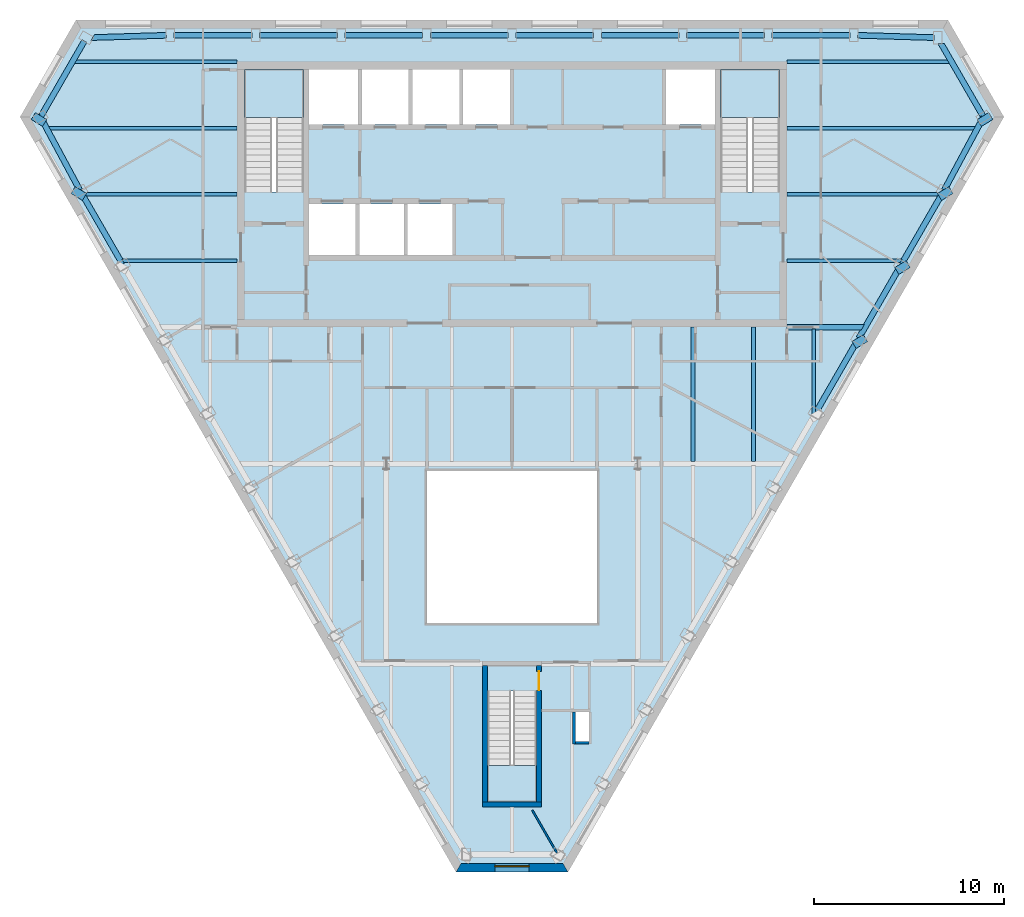
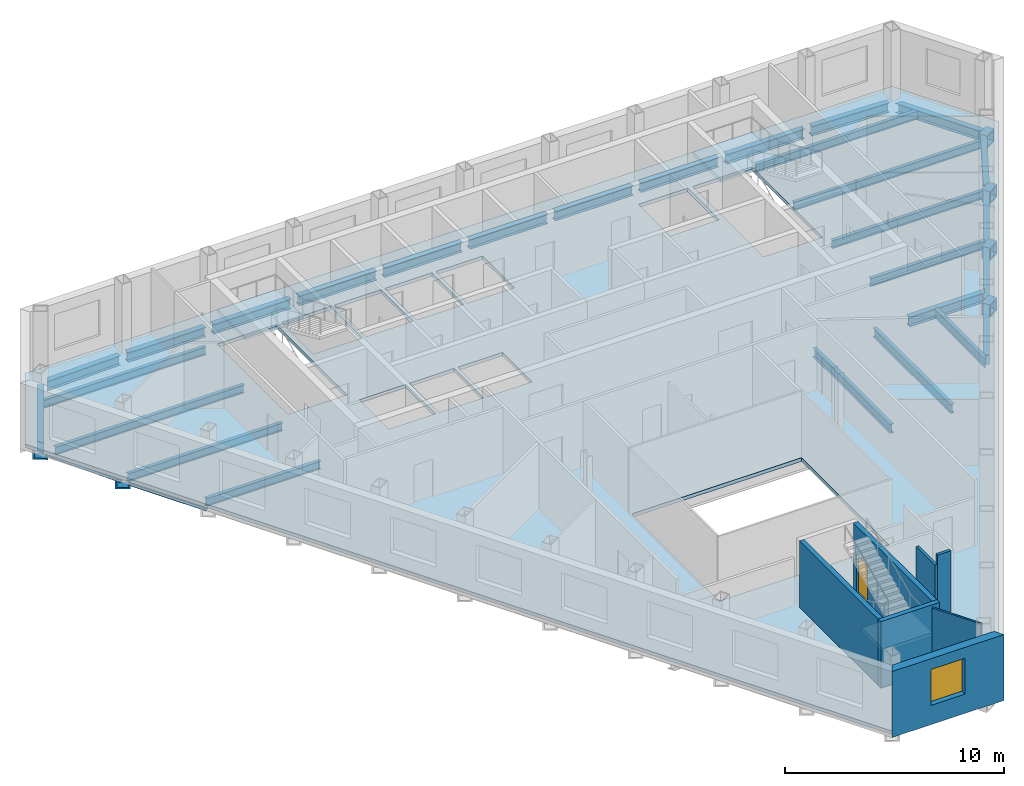
# One storey, part 3 of 10: 36 beams, 7 walls, 4 slabs, 1 door, 1 window, 2 openings, 3 elements without a shape of their own.
"""IFC4 building model written with IfcOpenShell, lengths in metres."""

from ifc_helpers import new_model, si_unit, direction, frame, frame_2d, origin, origin_2d, place, context, subcontext, project, spatial, polyline, rectangle, hollow_rectangle, i_section, outline, extrude, clip, halfspace, material, layer, layer_set, material_profile, profile_set, type_object, element, fill, aggregate, save


model = new_model("IFC4")

# Units and contexts
model_context = context("Model", 3, precision=1e-05, world=origin(), true_north=direction((0.0, 1.0)))
body_context = subcontext(model_context, "Body", "Model", "MODEL_VIEW")
ifc_project = project(units=[si_unit("LENGTHUNIT", "METRE"), si_unit("AREAUNIT", "SQUARE_METRE"), si_unit("VOLUMEUNIT", "CUBIC_METRE"), si_unit("PLANEANGLEUNIT", "RADIAN"), si_unit("MASSUNIT", "GRAM", prefix="KILO")], contexts=[model_context])

# Site, building, storey
site_placement = place(None, origin())
site = spatial("IfcSite", under=ifc_project, at=site_placement, CompositionType="ELEMENT")
building_placement = place(site_placement, origin())
building = spatial("IfcBuilding", under=site, at=building_placement, Name="Njiva Tower", CompositionType="ELEMENT")
storey_placement = place(building_placement, frame((0.0, 0.0, 257.1)))
storey = spatial("IfcBuildingStorey", under=building, at=storey_placement, Name="L58", CompositionType="ELEMENT", Elevation=257.1)

# Beams
ifc_material_1 = material(Name="Steel S355 J2", Category="steel")
ifc_material_profile_1 = material_profile(ifc_material_1, hollow_rectangle(XDim=0.7, YDim=0.7, WallThickness=0.08, at=origin_2d()), Name="BOX 700x700x80")
ifc_profile_set_1 = profile_set([ifc_material_profile_1], Name="Steel S355 J2")
beam_type_1 = type_object("IfcBeamType", Name="B19 Column jog beam BOX 700x700x80", PredefinedType="BEAM", material=ifc_profile_set_1)
beam_1_placement = place(storey_placement, frame((-25.064, 14.771, -0.55), z_axis=(0.522782921539, 0.852465845032, 0.0), x_axis=(-0.852465845032, 0.522782921539, 0.0)))
element("IfcBeam", 1, at=beam_1_placement, inside=storey, type_object=beam_type_1, Name="Column jog beam S19-B015", PredefinedType="BEAM", context=body_context, shape_type="SweptSolid", body=[
    extrude(hollow_rectangle(XDim=0.7, YDim=0.7, WallThickness=0.08, at=origin_2d()), origin(), (0.0, 0.0, 1.0), 0.4247),
])
beam_2_placement = place(storey_placement, frame((-22.963, 10.866, -0.55), z_axis=(0.518978134242, 0.854787515222, 0.0), x_axis=(-0.854787515222, 0.518978134242, 0.0)))
element("IfcBeam", 2, at=beam_2_placement, inside=storey, type_object=beam_type_1, Name="Column jog beam S19-B016", PredefinedType="BEAM", context=body_context, shape_type="SweptSolid", body=[
    extrude(hollow_rectangle(XDim=0.7, YDim=0.7, WallThickness=0.08, at=origin_2d()), origin(), (0.0, 0.0, 1.0), 0.4258),
])
beam_3_placement = place(storey_placement, frame((18.454, 3.056, -0.55), z_axis=(-0.510377209409, 0.859950640511, 0.0), x_axis=(-0.859950640511, -0.510377209409, 0.0)))
element("IfcBeam", 3, at=beam_3_placement, inside=storey, type_object=beam_type_1, Name="Column jog beam S19-B035", PredefinedType="BEAM", context=body_context, shape_type="SweptSolid", body=[
    extrude(hollow_rectangle(XDim=0.7, YDim=0.7, WallThickness=0.08, at=origin_2d()), origin(), (0.0, 0.0, 1.0), 0.4291),
])
beam_4_placement = place(storey_placement, frame((20.709, 6.962, -0.55), z_axis=(-0.516220048365, 0.856455989334, 0.0), x_axis=(-0.856455989334, -0.516220048365, 0.0)))
element("IfcBeam", 4, at=beam_4_placement, inside=storey, type_object=beam_type_1, Name="Column jog beam S19-B036", PredefinedType="BEAM", context=body_context, shape_type="SweptSolid", body=[
    extrude(hollow_rectangle(XDim=0.7, YDim=0.7, WallThickness=0.08, at=origin_2d()), origin(), (0.0, 0.0, 1.0), 0.4262),
])
beam_5_placement = place(storey_placement, frame((22.963, 10.866, -0.55), z_axis=(-0.518978134242, 0.854787515222, 0.0), x_axis=(-0.854787515222, -0.518978134242, 0.0)))
element("IfcBeam", 5, at=beam_5_placement, inside=storey, type_object=beam_type_1, Name="Column jog beam S19-B037", PredefinedType="BEAM", context=body_context, shape_type="SweptSolid", body=[
    extrude(hollow_rectangle(XDim=0.7, YDim=0.7, WallThickness=0.08, at=origin_2d()), origin(), (0.0, 0.0, 1.0), 0.4258),
])
beam_6_placement = place(storey_placement, frame((25.064, 14.771, -0.55), z_axis=(-0.522782921539, 0.852465845032, 0.0), x_axis=(-0.852465845032, -0.522782921539, 0.0)))
element("IfcBeam", 6, at=beam_6_placement, inside=storey, type_object=beam_type_1, Name="Column jog beam S19-B038", PredefinedType="BEAM", context=body_context, shape_type="SweptSolid", body=[
    extrude(hollow_rectangle(XDim=0.7, YDim=0.7, WallThickness=0.08, at=origin_2d()), origin(), (0.0, 0.0, 1.0), 0.4247),
])
ifc_material_profile_2 = material_profile(ifc_material_1, i_section(OverallWidth=0.19, OverallDepth=0.45, WebThickness=0.0094, FlangeThickness=0.0146, at=origin_2d()), Name="IPE 450")
ifc_profile_set_2 = profile_set([ifc_material_profile_2], Name="Steel S355 J2")
beam_type_2 = type_object("IfcBeamType", Name="B37 Floor beam to the core IPE 450", PredefinedType="BEAM", material=ifc_profile_set_2)
beam_7_placement = place(storey_placement, frame((-20.608, 7.5, -0.425), z_axis=(1.0, 0.0, 0.0), x_axis=(0.0, 1.0, 0.0)))
element("IfcBeam", 7, at=beam_7_placement, inside=storey, type_object=beam_type_2, Name="Floor beam to the core S19-B005", PredefinedType="BEAM", context=body_context, shape_type="Clipping", body=[
    clip(extrude(i_section(OverallWidth=0.19, OverallDepth=0.45, WebThickness=0.0094, FlangeThickness=0.0146, at=origin_2d()), origin(), (0.0, 0.0, 1.0), 6.108), halfspace(frame((-0.025, 0.0, 0.089), z_axis=(-0.499998009787, 0.0, -0.866026552831), x_axis=(0.0, -1.0, 0.0)), False)),
])
beam_8_placement = place(storey_placement, frame((14.5, 7.5, -0.425), z_axis=(1.0, 0.0, 0.0), x_axis=(0.0, 1.0, 0.0)))
element("IfcBeam", 8, at=beam_8_placement, inside=storey, type_object=beam_type_2, Name="Floor beam to the core S19-B006", PredefinedType="BEAM", context=body_context, shape_type="Clipping", body=[
    clip(extrude(i_section(OverallWidth=0.19, OverallDepth=0.45, WebThickness=0.0094, FlangeThickness=0.0146, at=origin_2d()), origin(), (0.0, 0.0, 1.0), 6.108), halfspace(frame((-0.025, 0.0, 6.019), z_axis=(-0.499998009787, 0.0, 0.866026552831), x_axis=(0.0, 1.0, 0.0)), False)),
])
beam_9_placement = place(storey_placement, frame((-22.709, 11.0, -0.425), z_axis=(1.0, 0.0, 0.0), x_axis=(0.0, 1.0, 0.0)))
element("IfcBeam", 9, at=beam_9_placement, inside=storey, type_object=beam_type_2, Name="Floor beam to the core S19-B004", PredefinedType="BEAM", context=body_context, shape_type="Clipping", body=[
    clip(extrude(i_section(OverallWidth=0.19, OverallDepth=0.45, WebThickness=0.0094, FlangeThickness=0.0146, at=origin_2d()), origin(), (0.0, 0.0, 1.0), 8.209), halfspace(frame((-0.025, 0.0, 0.0899), z_axis=(-0.499998009787, 0.0, -0.866026552831), x_axis=(0.0, -1.0, 0.0)), False)),
])
beam_10_placement = place(storey_placement, frame((14.5, 11.0, -0.425), z_axis=(1.0, 0.0, 0.0), x_axis=(0.0, 1.0, 0.0)))
element("IfcBeam", 10, at=beam_10_placement, inside=storey, type_object=beam_type_2, Name="Floor beam to the core S19-B007", PredefinedType="BEAM", context=body_context, shape_type="Clipping", body=[
    clip(extrude(i_section(OverallWidth=0.19, OverallDepth=0.45, WebThickness=0.0094, FlangeThickness=0.0146, at=origin_2d()), origin(), (0.0, 0.0, 1.0), 8.209), halfspace(frame((-0.025, 0.0, 8.1191), z_axis=(-0.499998009787, 0.0, 0.866026552831), x_axis=(0.0, 1.0, 0.0)), False)),
])
beam_11_placement = place(storey_placement, frame((-23.147, 18.0, -0.425), z_axis=(1.0, 0.0, 0.0), x_axis=(0.0, 1.0, 0.0)))
element("IfcBeam", 11, at=beam_11_placement, inside=storey, type_object=beam_type_2, Name="Floor beam to the core S19-B002", PredefinedType="BEAM", context=body_context, shape_type="Clipping", body=[
    clip(extrude(i_section(OverallWidth=0.19, OverallDepth=0.45, WebThickness=0.0094, FlangeThickness=0.0146, at=origin_2d()), origin(), (0.0, 0.0, 1.0), 8.647), halfspace(frame((0.025, 0.0, 0.0892), z_axis=(0.499998009787, 0.0, -0.866026552831), x_axis=(0.0, -1.0, 0.0)), False)),
])
beam_12_placement = place(storey_placement, frame((14.5, 18.0, -0.425), z_axis=(1.0, 0.0, 0.0), x_axis=(0.0, 1.0, 0.0)))
element("IfcBeam", 12, at=beam_12_placement, inside=storey, type_object=beam_type_2, Name="Floor beam to the core S19-B010", PredefinedType="BEAM", context=body_context, shape_type="Clipping", body=[
    clip(extrude(i_section(OverallWidth=0.19, OverallDepth=0.45, WebThickness=0.0094, FlangeThickness=0.0146, at=origin_2d()), origin(), (0.0, 0.0, 1.0), 8.647), halfspace(frame((0.025, 0.0, 8.5578), z_axis=(0.499998009787, 0.0, 0.866026552831), x_axis=(0.0, 1.0, 0.0)), False)),
])
ifc_material_profile_3 = material_profile(ifc_material_1, i_section(OverallWidth=0.3, OverallDepth=0.54, WebThickness=0.0125, FlangeThickness=0.024, at=origin_2d()), Name="HEA 550")
ifc_profile_set_3 = profile_set([ifc_material_profile_3], Name="Steel S355 J2")
beam_type_3 = type_object("IfcBeamType", Name="B39 Short-span spandrel beam HEA 550", PredefinedType="SPANDREL", material=ifc_profile_set_3)
beam_13_placement = place(storey_placement, frame((22.262, 19.273, -0.47), z_axis=(-0.999548216451, 0.030055997562, 0.0), x_axis=(-0.030055997562, -0.999548216451, 0.0)))
element("IfcBeam", 13, at=beam_13_placement, inside=storey, type_object=beam_type_3, Name="Short-span spandrel beam S19-B122", PredefinedType="SPANDREL", context=body_context, shape_type="SweptSolid", body=[
    extrude(i_section(OverallWidth=0.3, OverallDepth=0.54, WebThickness=0.0125, FlangeThickness=0.024, at=origin_2d()), origin(), (0.0, 0.0, 1.0), 4.0258),
])
beam_14_placement = place(storey_placement, frame((17.834, 19.4, -0.47), z_axis=(-1.0, 0.0, 0.0), x_axis=(0.0, -1.0, 0.0)))
element("IfcBeam", 14, at=beam_14_placement, inside=storey, type_object=beam_type_3, Name="Short-span spandrel beam S19-B116", PredefinedType="SPANDREL", context=body_context, shape_type="SweptSolid", body=[
    extrude(i_section(OverallWidth=0.3, OverallDepth=0.54, WebThickness=0.0125, FlangeThickness=0.024, at=origin_2d()), origin(), (0.0, 0.0, 1.0), 4.108),
])
beam_15_placement = place(storey_placement, frame((13.326, 19.4, -0.47), z_axis=(-1.0, 0.0, 0.0), x_axis=(0.0, -1.0, 0.0)))
element("IfcBeam", 15, at=beam_15_placement, inside=storey, type_object=beam_type_3, Name="Short-span spandrel beam S19-B110", PredefinedType="SPANDREL", context=body_context, shape_type="SweptSolid", body=[
    extrude(i_section(OverallWidth=0.3, OverallDepth=0.54, WebThickness=0.0125, FlangeThickness=0.024, at=origin_2d()), origin(), (0.0, 0.0, 1.0), 4.109),
])
beam_16_placement = place(storey_placement, frame((8.817, 19.4, -0.47), z_axis=(-1.0, 0.0, 0.0), x_axis=(0.0, -1.0, 0.0)))
element("IfcBeam", 16, at=beam_16_placement, inside=storey, type_object=beam_type_3, Name="Short-span spandrel beam S19-B104", PredefinedType="SPANDREL", context=body_context, shape_type="SweptSolid", body=[
    extrude(i_section(OverallWidth=0.3, OverallDepth=0.54, WebThickness=0.0125, FlangeThickness=0.024, at=origin_2d()), origin(), (0.0, 0.0, 1.0), 4.108),
])
for number, where, z_axis, x_axis, name in (
    (17, (4.309, 19.4, -0.47), (-1.0, 0.0, 0.0), (0.0, -1.0, 0.0), "Short-span spandrel beam S19-B100"),
    (18, (-0.2, 19.4, -0.47), (-1.0, 0.0, 0.0), (0.0, -1.0, 0.0), "Short-span spandrel beam S19-B097"),
):
    element("IfcBeam", number, at=place(storey_placement, frame(where, z_axis=z_axis, x_axis=x_axis)), inside=storey, type_object=beam_type_3, Name=name, PredefinedType="SPANDREL", context=body_context, shape_type="SweptSolid", body=[
        extrude(i_section(OverallWidth=0.3, OverallDepth=0.54, WebThickness=0.0125, FlangeThickness=0.024, at=origin_2d()), origin(), (0.0, 0.0, 1.0), 4.109),
    ])
beam_17_placement = place(storey_placement, frame((-4.709, 19.4, -0.47), z_axis=(-1.0, 0.0, 0.0), x_axis=(0.0, -1.0, 0.0)))
element("IfcBeam", 19, at=beam_17_placement, inside=storey, type_object=beam_type_3, Name="Short-span spandrel beam S19-B091", PredefinedType="SPANDREL", context=body_context, shape_type="SweptSolid", body=[
    extrude(i_section(OverallWidth=0.3, OverallDepth=0.54, WebThickness=0.0125, FlangeThickness=0.024, at=origin_2d()), origin(), (0.0, 0.0, 1.0), 4.108),
])
beam_18_placement = place(storey_placement, frame((-9.217, 19.4, -0.47), z_axis=(-1.0, 0.0, 0.0), x_axis=(0.0, -1.0, 0.0)))
element("IfcBeam", 20, at=beam_18_placement, inside=storey, type_object=beam_type_3, Name="Short-span spandrel beam S19-B085", PredefinedType="SPANDREL", context=body_context, shape_type="SweptSolid", body=[
    extrude(i_section(OverallWidth=0.3, OverallDepth=0.54, WebThickness=0.0125, FlangeThickness=0.024, at=origin_2d()), origin(), (0.0, 0.0, 1.0), 4.109),
])
beam_19_placement = place(storey_placement, frame((-13.726, 19.4, -0.47), z_axis=(-1.0, 0.0, 0.0), x_axis=(0.0, -1.0, 0.0)))
element("IfcBeam", 21, at=beam_19_placement, inside=storey, type_object=beam_type_3, Name="Short-span spandrel beam S19-B079", PredefinedType="SPANDREL", context=body_context, shape_type="SweptSolid", body=[
    extrude(i_section(OverallWidth=0.3, OverallDepth=0.54, WebThickness=0.0125, FlangeThickness=0.024, at=origin_2d()), origin(), (0.0, 0.0, 1.0), 4.108),
])
beam_20_placement = place(storey_placement, frame((-18.238, 19.394, -0.47), z_axis=(-0.999544721099, -0.030172015575, 0.0), x_axis=(0.030172015575, -0.999544721099, 0.0)))
element("IfcBeam", 22, at=beam_20_placement, inside=storey, type_object=beam_type_3, Name="Short-span spandrel beam S19-B073", PredefinedType="SPANDREL", context=body_context, shape_type="Clipping", body=[
    clip(extrude(i_section(OverallWidth=0.3, OverallDepth=0.54, WebThickness=0.0125, FlangeThickness=0.024, at=origin_2d()), origin(), (0.0, 0.0, 1.0), 3.9908), halfspace(frame((-0.0265, 0.0, 3.8613), z_axis=(-0.525900137883, 0.0, 0.850546321475), x_axis=(0.0, 1.0, 0.0)), False)),
])
beam_21_placement = place(storey_placement, frame((-24.707, 14.775, -0.47), z_axis=(0.473626064593, -0.880726036255, 0.0), x_axis=(0.880726036255, 0.473626064593, 0.0)))
element("IfcBeam", 23, at=beam_21_placement, inside=storey, type_object=beam_type_3, Name="Short-span spandrel beam S19-B069", PredefinedType="SPANDREL", context=body_context, shape_type="SweptSolid", body=[
    extrude(i_section(OverallWidth=0.3, OverallDepth=0.54, WebThickness=0.0125, FlangeThickness=0.024, at=origin_2d()), origin(), (0.0, 0.0, 1.0), 4.0285),
])
beam_22_placement = place(storey_placement, frame((-22.599, 10.878, -0.47), z_axis=(0.500066662559, -0.865986912717, 0.0), x_axis=(0.865986912717, 0.500066662559, 0.0)))
element("IfcBeam", 24, at=beam_22_placement, inside=storey, type_object=beam_type_3, Name="Short-span spandrel beam S19-B072", PredefinedType="SPANDREL", context=body_context, shape_type="SweptSolid", body=[
    extrude(i_section(OverallWidth=0.3, OverallDepth=0.54, WebThickness=0.0125, FlangeThickness=0.024, at=origin_2d()), origin(), (0.0, 0.0, 1.0), 4.1075),
])
beam_23_placement = place(storey_placement, frame((16.037, -0.489, -0.47), z_axis=(0.499961250474, 0.866047774678, 0.0), x_axis=(-0.866047774678, 0.499961250474, 0.0)))
element("IfcBeam", 25, at=beam_23_placement, inside=storey, type_object=beam_type_3, Name="Short-span spandrel beam S19-B119", PredefinedType="SPANDREL", context=body_context, shape_type="SweptSolid", body=[
    extrude(i_section(OverallWidth=0.3, OverallDepth=0.54, WebThickness=0.0125, FlangeThickness=0.024, at=origin_2d()), origin(), (0.0, 0.0, 1.0), 4.1083),
])
beam_24_placement = place(storey_placement, frame((18.291, 3.415, -0.47), z_axis=(0.499855875421, 0.866108598161, 0.0), x_axis=(-0.866108598161, 0.499855875421, 0.0)))
element("IfcBeam", 26, at=beam_24_placement, inside=storey, type_object=beam_type_3, Name="Short-span spandrel beam S19-B123", PredefinedType="SPANDREL", context=body_context, shape_type="SweptSolid", body=[
    extrude(i_section(OverallWidth=0.3, OverallDepth=0.54, WebThickness=0.0125, FlangeThickness=0.024, at=origin_2d()), origin(), (0.0, 0.0, 1.0), 4.1092),
])
beam_25_placement = place(storey_placement, frame((20.545, 7.321, -0.47), z_axis=(0.500066662559, 0.865986912717, 0.0), x_axis=(-0.865986912717, 0.500066662559, 0.0)))
element("IfcBeam", 27, at=beam_25_placement, inside=storey, type_object=beam_type_3, Name="Short-span spandrel beam S19-B125", PredefinedType="SPANDREL", context=body_context, shape_type="SweptSolid", body=[
    extrude(i_section(OverallWidth=0.3, OverallDepth=0.54, WebThickness=0.0125, FlangeThickness=0.024, at=origin_2d()), origin(), (0.0, 0.0, 1.0), 4.1075),
])
beam_26_placement = place(storey_placement, frame((22.799, 11.227, -0.47), z_axis=(0.473786472669, 0.88063975513, 0.0), x_axis=(-0.88063975513, 0.473786472669, 0.0)))
element("IfcBeam", 28, at=beam_26_placement, inside=storey, type_object=beam_type_3, Name="Short-span spandrel beam S19-B129", PredefinedType="SPANDREL", context=body_context, shape_type="SweptSolid", body=[
    extrude(i_section(OverallWidth=0.3, OverallDepth=0.54, WebThickness=0.0125, FlangeThickness=0.024, at=origin_2d()), origin(), (0.0, 0.0, 1.0), 4.3775),
])
beam_27_placement = place(storey_placement, frame((24.873, 15.082, -0.47), z_axis=(-0.500166189765, 0.865929432815, 0.0), x_axis=(-0.865929432815, -0.500166189765, 0.0)))
element("IfcBeam", 29, at=beam_27_placement, inside=storey, type_object=beam_type_3, Name="Short-span spandrel beam S19-B128", PredefinedType="SPANDREL", context=body_context, shape_type="Clipping", body=[
    clip(extrude(i_section(OverallWidth=0.3, OverallDepth=0.54, WebThickness=0.0125, FlangeThickness=0.024, at=origin_2d()), origin(), (0.0, 0.0, 1.0), 4.5935), halfspace(frame((-0.0254, 0.0, 4.4719), z_axis=(-0.500166189765, 0.0, 0.865929432815), x_axis=(0.0, 1.0, 0.0)), False)),
])
ifc_material_profile_4 = material_profile(ifc_material_1, i_section(OverallWidth=0.3, OverallDepth=0.54, WebThickness=0.0125, FlangeThickness=0.024, at=origin_2d()), Name="HEA 550")
ifc_profile_set_4 = profile_set([ifc_material_profile_4], Name="Steel S355 J2")
beam_type_4 = type_object("IfcBeamType", Name="B41 Short-span floor girder HEA 550", PredefinedType="BEAM", material=ifc_profile_set_4)
beam_28_placement = place(storey_placement, frame((14.5, 4.0, -0.47), z_axis=(1.0, 0.0, 0.0), x_axis=(0.0, 1.0, 0.0)))
element("IfcBeam", 30, at=beam_28_placement, inside=storey, type_object=beam_type_4, Name="Short-span floor girder S19-B014", PredefinedType="BEAM", context=body_context, shape_type="Clipping", body=[
    clip(extrude(i_section(OverallWidth=0.3, OverallDepth=0.54, WebThickness=0.0125, FlangeThickness=0.024, at=origin_2d()), origin(), (0.0, 0.0, 1.0), 4.12), halfspace(frame((-0.025, 0.0, 3.9983), z_axis=(-0.499998009787, 0.0, 0.866026552831), x_axis=(0.0, 1.0, 0.0)), False)),
])
ifc_material_profile_5 = material_profile(ifc_material_1, i_section(OverallWidth=0.2, OverallDepth=0.5, WebThickness=0.0102, FlangeThickness=0.016, at=origin_2d()), Name="IPE 500")
ifc_profile_set_5 = profile_set([ifc_material_profile_5], Name="Steel S355 J2")
beam_type_5 = type_object("IfcBeamType", Name="B43 Floor joist IPE 500", PredefinedType="JOIST", material=ifc_profile_set_5)
for number, where, z_axis, x_axis, name in (
    (31, (9.55, 3.995, -0.45), (0.0, -1.0, 0.0), (1.0, 0.0, 0.0), "Floor joist S19-B056"),
    (32, (12.733, 3.995, -0.45), (0.0, -1.0, 0.0), (1.0, 0.0, 0.0), "Floor joist S19-B058"),
):
    element("IfcBeam", number, at=place(storey_placement, frame(where, z_axis=z_axis, x_axis=x_axis)), inside=storey, type_object=beam_type_5, Name=name, PredefinedType="JOIST", context=body_context, shape_type="SweptSolid", body=[
        extrude(i_section(OverallWidth=0.2, OverallDepth=0.5, WebThickness=0.0102, FlangeThickness=0.016, at=origin_2d()), origin(), (0.0, 0.0, 1.0), 7.095),
    ])
beam_29_placement = place(storey_placement, frame((15.917, 3.9, -0.45), z_axis=(0.0, -1.0, 0.0), x_axis=(1.0, 0.0, 0.0)))
element("IfcBeam", 33, at=beam_29_placement, inside=storey, type_object=beam_type_5, Name="Floor joist S19-B059", PredefinedType="JOIST", context=body_context, shape_type="Clipping", body=[
    clip(extrude(i_section(OverallWidth=0.2, OverallDepth=0.5, WebThickness=0.0102, FlangeThickness=0.016, at=origin_2d()), origin(), (0.0, 0.0, 1.0), 4.726), halfspace(frame((0.043, 0.0, 4.4581), z_axis=(0.866026552831, 0.0, 0.499998009787), x_axis=(0.0, 1.0, 0.0)), False)),
])
ifc_material_profile_6 = material_profile(ifc_material_1, i_section(OverallWidth=0.3, OverallDepth=0.54, WebThickness=0.0125, FlangeThickness=0.024, at=origin_2d()), Name="HEA 550")
ifc_profile_set_6 = profile_set([ifc_material_profile_6], Name="Steel S355 J2")
beam_type_6 = type_object("IfcBeamType", Name="B44 Spandrel beam HEA 550", PredefinedType="SPANDREL", material=ifc_profile_set_6)
beam_30_placement = place(storey_placement, frame((-22.559, 19.09, -0.47), z_axis=(-0.499980071345, -0.866036909293, 0.0), x_axis=(0.866036909293, -0.499980071345, 0.0)))
element("IfcBeam", 34, at=beam_30_placement, inside=storey, type_object=beam_type_6, Name="Spandrel beam S19-B067", PredefinedType="SPANDREL", context=body_context, shape_type="Clipping", body=[
    clip(extrude(i_section(OverallWidth=0.3, OverallDepth=0.54, WebThickness=0.0125, FlangeThickness=0.024, at=origin_2d()), origin(), (0.0, 0.0, 1.0), 4.6992), halfspace(frame((-0.0246, 0.0, 4.5776), z_axis=(-0.500021918575, 0.0, 0.86601274872), x_axis=(0.0, 1.0, 0.0)), False)),
])
ifc_material_profile_7 = material_profile(ifc_material_1, i_section(OverallWidth=0.19, OverallDepth=0.45, WebThickness=0.0094, FlangeThickness=0.0146, at=origin_2d()), Name="IPE 450")
ifc_profile_set_7 = profile_set([ifc_material_profile_7], Name="Steel S355 J2")
beam_type_7 = type_object("IfcBeamType", Name="B45 Long-span floor beam to the core IPE 450", PredefinedType="BEAM", material=ifc_profile_set_7)
beam_31_placement = place(storey_placement, frame((-24.517, 14.5, -0.425), z_axis=(1.0, 0.0, 0.0), x_axis=(0.0, 1.0, 0.0)))
element("IfcBeam", 35, at=beam_31_placement, inside=storey, type_object=beam_type_7, Name="Long-span floor beam to the core S19-B001", PredefinedType="BEAM", context=body_context, shape_type="Clipping", body=[
    clip(extrude(i_section(OverallWidth=0.19, OverallDepth=0.45, WebThickness=0.0094, FlangeThickness=0.0146, at=origin_2d()), origin(), (0.0, 0.0, 1.0), 10.017), halfspace(frame((-0.0237, 0.0, 0.0837), z_axis=(-0.47376166762, 0.0, -0.88065309986), x_axis=(0.0, -1.0, 0.0)), False)),
])
beam_32_placement = place(storey_placement, frame((14.5, 14.5, -0.425), z_axis=(1.0, 0.0, 0.0), x_axis=(0.0, 1.0, 0.0)))
element("IfcBeam", 36, at=beam_32_placement, inside=storey, type_object=beam_type_7, Name="Long-span floor beam to the core S19-B009", PredefinedType="BEAM", context=body_context, shape_type="Clipping", body=[
    clip(extrude(i_section(OverallWidth=0.19, OverallDepth=0.45, WebThickness=0.0094, FlangeThickness=0.0146, at=origin_2d()), origin(), (0.0, 0.0, 1.0), 10.017), halfspace(frame((-0.0237, 0.0, 9.9333), z_axis=(-0.47376166762, 0.0, 0.88065309986), x_axis=(0.0, 1.0, 0.0)), False)),
])

# Stair, slab
ifc_material_2 = material(Name="Concrete C40/50", Category="concrete")
stair_type_1 = type_object("IfcStairType", Name="ST3 Exit stair 1450", PredefinedType="HALF_TURN_STAIR", material=ifc_material_2)
stair_1_placement = place(storey_placement, origin())
stair_1 = element("IfcStair", 37, at=stair_1_placement, inside=storey, type_object=stair_type_1, Name="Stair A", PredefinedType="HALF_TURN_STAIR")
ifc_layer_1 = layer(ifc_material_2, 0.2)
ifc_layer_set_1 = layer_set([ifc_layer_1], Name="Concrete C40/50")
slab_type_1 = type_object("IfcSlabType", Name="FL9 Stair landing 200", PredefinedType="LANDING", material=ifc_layer_set_1)
slab_1_placement = place(storey_placement, frame((0.0, 0.0, 1.75)))
slab_1 = element("IfcSlab", 38, at=slab_1_placement, type_object=slab_type_1, Name="ST-A landing 1", PredefinedType="LANDING", context=body_context, shape_type="SweptSolid", body=[
    extrude(outline(polyline([(-14.106, 15.06), (-10.994, 15.06), (-10.994, 17.6), (-14.106, 17.6), (-14.106, 15.06)])), origin(), (0.0, 0.0, 1.0), 0.2),
])
aggregate(stair_1, [slab_1])

stair_2_placement = place(storey_placement, origin())
stair_2 = element("IfcStair", 39, at=stair_2_placement, inside=storey, type_object=stair_type_1, Name="Stair B", PredefinedType="HALF_TURN_STAIR")
slab_2_placement = place(storey_placement, frame((0.0, 0.0, 1.75)))
slab_2 = element("IfcSlab", 40, at=slab_2_placement, type_object=slab_type_1, Name="ST-B landing 1", PredefinedType="LANDING", context=body_context, shape_type="SweptSolid", body=[
    extrude(outline(polyline([(10.994, 15.06), (14.106, 15.06), (14.106, 17.6), (10.994, 17.6), (10.994, 15.06)])), origin(), (0.0, 0.0, 1.0), 0.2),
])
aggregate(stair_2, [slab_2])

stair_type_2 = type_object("IfcStairType", Name="ST1 Exit stair 1250", PredefinedType="HALF_TURN_STAIR", material=ifc_material_2)
stair_3_placement = place(storey_placement, origin())
stair_3 = element("IfcStair", 41, at=stair_3_placement, inside=storey, type_object=stair_type_2, Name="Stair C", PredefinedType="HALF_TURN_STAIR")
slab_3_placement = place(storey_placement, frame((0.0, 0.0, 1.75)))
slab_3 = element("IfcSlab", 42, at=slab_3_placement, type_object=slab_type_1, Name="ST-C landing 1", PredefinedType="LANDING", context=body_context, shape_type="SweptSolid", body=[
    extrude(outline(polyline([(-1.306, -21.05), (1.306, -21.05), (1.306, -19.12), (-1.306, -19.12), (-1.306, -21.05)])), origin(), (0.0, 0.0, 1.0), 0.2),
])
aggregate(stair_3, [slab_3])

# Slab
ifc_material_3 = material(Name="Concrete C30/37", Category="concrete")
ifc_layer_2 = layer(ifc_material_3, 0.2)
ifc_layer_set_2 = layer_set([ifc_layer_2], Name="Concrete C30/37")
slab_type_2 = type_object("IfcSlabType", Name="SL16 Composite floor slab 200", PredefinedType="FLOOR", material=ifc_layer_set_2)
slab_4_placement = place(storey_placement, frame((0.0, 0.0, -0.2)))
element("IfcSlab", 43, at=slab_4_placement, inside=storey, type_object=slab_type_2, Name="Floor slab L58", PredefinedType="FLOOR", context=body_context, shape_type="SweptSolid", body=[
    extrude(outline(polyline([(25.6902, 15.0818), (2.8251, -24.5217), (-2.8251, -24.5217), (-25.6902, 15.0818), (-22.8651, 19.975), (22.8651, 19.975), (25.6902, 15.0818)]), holes=[polyline([(10.994, 11.13), (14.106, 11.13), (14.106, 17.6), (10.994, 17.6), (10.994, 11.13)]), polyline([(8.125, 14.7), (10.7, 14.7), (10.7, 17.6), (8.125, 17.6), (8.125, 14.7)]), polyline([(4.48, -11.6), (4.48, -3.6), (-4.48, -3.6), (-4.48, -11.6), (4.48, -11.6)]), polyline([(3.35, -17.85), (4.05, -17.85), (4.05, -16.3), (3.35, -16.3), (3.35, -17.85)]), polyline([(-1.306, -21.05), (1.306, -21.05), (1.306, -15.19), (-1.306, -15.19), (-1.306, -21.05)]), polyline([(-2.575, 14.7), (-0.1, 14.7), (-0.1, 17.6), (-2.575, 17.6), (-2.575, 14.7)]), polyline([(-2.775, 14.7), (-2.775, 17.6), (-5.25, 17.6), (-5.25, 14.7), (-2.775, 14.7)]), polyline([(-5.5, 7.8), (-3.15, 7.8), (-3.15, 10.5), (-5.5, 10.5), (-5.5, 7.8)]), polyline([(-7.925, 14.7), (-5.45, 14.7), (-5.45, 17.6), (-7.925, 17.6), (-7.925, 14.7)]), polyline([(-8.05, 7.8), (-5.7, 7.8), (-5.7, 10.5), (-8.05, 10.5), (-8.05, 7.8)]), polyline([(-10.7, 14.7), (-8.125, 14.7), (-8.125, 17.6), (-10.7, 17.6), (-10.7, 14.7)]), polyline([(-8.25, 7.8), (-8.25, 10.5), (-10.7, 10.5), (-10.7, 7.8), (-8.25, 7.8)]), polyline([(-10.994, 11.13), (-10.994, 17.6), (-14.106, 17.6), (-14.106, 11.13), (-10.994, 11.13)])]), origin(), (0.0, 0.0, 1.0), 0.2),
])

# Walls
ifc_material_4 = material(Name="Gypsum board on steel studs", Category="gypsum")
ifc_layer_3 = layer(ifc_material_4, 0.1)
ifc_layer_set_3 = layer_set([ifc_layer_3], Name="Gypsum board on steel studs")
wall_type_1 = type_object("IfcWallType", Name="WT20 Gypsum partition 100", PredefinedType="PARTITIONING", material=ifc_layer_set_3)
wall_1_placement = place(storey_placement, frame((1.066, -21.475, 0.0), z_axis=(0.0, 0.0, 1.0), x_axis=(0.499944387978, -0.86605750902, 0.0)))
element("IfcWall", 44, at=wall_1_placement, inside=storey, type_object=wall_type_1, Name="Partition S19-P019", PredefinedType="PARTITIONING", context=body_context, shape_type="SweptSolid", body=[
    extrude(rectangle(XDim=2.6003, YDim=0.1, at=frame_2d((1.3002, 0.0))), origin(), (0.0, 0.0, 1.0), 3.7),
])
ifc_material_5 = material(Name="Blockwork", Category="masonry")
ifc_layer_4 = layer(ifc_material_5, 0.15)
ifc_layer_set_4 = layer_set([ifc_layer_4], Name="Blockwork")
wall_type_2 = type_object("IfcWallType", Name="WT4 Stair partition 150", PredefinedType="PARTITIONING", material=ifc_layer_set_4)
wall_2_placement = place(storey_placement, frame((3.275, -18.0, 0.0), z_axis=(0.0, 0.0, 1.0), x_axis=(0.0, 1.0, 0.0)))
element("IfcWall", 45, at=wall_2_placement, inside=storey, type_object=wall_type_2, Name="Stair C pressurisation shaft wall", PredefinedType="PARTITIONING", context=body_context, shape_type="SweptSolid", body=[
    extrude(rectangle(XDim=1.7, YDim=0.15, at=frame_2d((0.85, 0.0))), origin(), (0.0, 0.0, 1.0), 3.2),
])
wall_3_placement = place(storey_placement, frame((3.35, -17.925, 0.0), z_axis=(0.0, 0.0, 1.0), x_axis=(1.0, 0.0, 0.0)))
element("IfcWall", 46, at=wall_3_placement, inside=storey, type_object=wall_type_2, Name="Stair C pressurisation shaft wall", PredefinedType="PARTITIONING", context=body_context, shape_type="SweptSolid", body=[
    extrude(rectangle(XDim=0.7, YDim=0.15, at=frame_2d((0.35, 0.0))), origin(), (0.0, 0.0, 1.0), 3.7),
])
ifc_layer_5 = layer(ifc_material_2, 0.25)
ifc_layer_set_5 = layer_set([ifc_layer_5], Name="Concrete C40/50")
wall_type_3 = type_object("IfcWallType", Name="WT9 Stair enclosure wall 250", PredefinedType="SHEAR", material=ifc_layer_set_5)
wall_4_placement = place(storey_placement, frame((-1.425, -21.05, 0.0), z_axis=(0.0, 0.0, 1.0), x_axis=(0.0, 1.0, 0.0)))
element("IfcWall", 47, at=wall_4_placement, inside=storey, type_object=wall_type_3, Name="Stair C wall west", PredefinedType="SHEAR", context=body_context, shape_type="SweptSolid", body=[
    extrude(rectangle(XDim=7.2, YDim=0.25, at=frame_2d((3.6, 0.0))), origin(), (0.0, 0.0, 1.0), 3.7),
])

# Wall, opening, door
wall_5_placement = place(storey_placement, frame((1.425, -21.05, 0.0), z_axis=(0.0, 0.0, 1.0), x_axis=(0.0, 1.0, 0.0)))
wall_5 = element("IfcWall", 48, at=wall_5_placement, inside=storey, type_object=wall_type_3, Name="Stair C wall east", PredefinedType="SHEAR", context=body_context, shape_type="SweptSolid", body=[
    extrude(rectangle(XDim=7.2, YDim=0.25, at=frame_2d((3.6, 0.0))), origin(), (0.0, 0.0, 1.0), 3.7),
])
opening_1_placement = place(wall_5_placement, frame((5.89, 0.0, 0.0)))
opening_1 = element("IfcOpeningElement", 49, at=opening_1_placement, cuts=wall_5, Name="Opening S19-D928", PredefinedType="OPENING", context=body_context, shape_type="SweptSolid", body=[
    extrude(rectangle(XDim=1.0, YDim=2.1, at=frame_2d((0.5, 1.05))), frame((0.0, 0.135, 0.0), z_axis=(0.0, -1.0, 0.0), x_axis=(1.0, 0.0, 0.0)), (0.0, 0.0, 1.0), 0.27),
])
ifc_material_6 = material(Name="Glazed steel fire door", Category="steel")
door_type = type_object("IfcDoorType", Name="D9 Stair vestibule door 1000x2100 glazed", OperationType="SINGLE_SWING_LEFT", PredefinedType="DOOR", material=ifc_material_6)
door_placement = place(opening_1_placement, origin())
door = element("IfcDoor", 50, at=door_placement, inside=storey, type_object=door_type, Name="Stair C door", OperationType="SINGLE_SWING_LEFT", OverallHeight=2.1, OverallWidth=1.0, PredefinedType="DOOR", context=body_context, shape_type="SweptSolid", body=[
    extrude(rectangle(XDim=1.0, YDim=2.1, at=frame_2d((0.5, 1.05))), frame((0.0, 0.025, 0.0), z_axis=(0.0, -1.0, 0.0), x_axis=(1.0, 0.0, 0.0)), (0.0, 0.0, 1.0), 0.05),
])
fill(opening_1, door)

# Wall
wall_6_placement = place(storey_placement, frame((-1.55, -21.175, 0.0), z_axis=(0.0, 0.0, 1.0), x_axis=(1.0, 0.0, 0.0)))
element("IfcWall", 51, at=wall_6_placement, inside=storey, type_object=wall_type_3, Name="Stair C wall south", PredefinedType="SHEAR", context=body_context, shape_type="SweptSolid", body=[
    extrude(rectangle(XDim=3.1, YDim=0.25, at=frame_2d((1.55, 0.0))), origin(), (0.0, 0.0, 1.0), 3.7),
])

# Wall, opening, window
ifc_material_7 = material(Name="Brick masonry, buff", Category="masonry")
ifc_layer_6 = layer(ifc_material_7, 0.45)
ifc_layer_set_6 = layer_set([ifc_layer_6], Name="Brick masonry, buff")
wall_type_4 = type_object("IfcWallType", Name="WT94 Brick pier and spandrel wall 450, buff", PredefinedType="SOLIDWALL", material=ifc_layer_set_6)
wall_7_placement = place(storey_placement, frame((-2.8251, -24.5217, -0.18), z_axis=(0.0, 0.0, 1.0), x_axis=(1.0, 0.0, 0.0)))
wall_7 = element("IfcWall", 52, at=wall_7_placement, inside=storey, type_object=wall_type_4, Name="Facade wall S", PredefinedType="SOLIDWALL", context=body_context, shape_type="SweptSolid", body=[
    extrude(outline(polyline([(-0.1299, -0.225), (5.7801, -0.225), (5.5203, 0.225), (0.1299, 0.225), (-0.1299, -0.225)])), origin(), (0.0, 0.0, 1.0), 3.68),
])
opening_2_placement = place(wall_7_placement, frame((1.9251, 0.0, 1.08)))
opening_2 = element("IfcOpeningElement", 53, at=opening_2_placement, cuts=wall_7, Name="Opening S19-W19", PredefinedType="OPENING", context=body_context, shape_type="SweptSolid", body=[
    extrude(rectangle(XDim=1.8, YDim=2.0, at=frame_2d((0.9, 1.0))), frame((0.0, 0.235, 0.0), z_axis=(0.0, -1.0, 0.0), x_axis=(1.0, 0.0, 0.0)), (0.0, 0.0, 1.0), 0.47),
])
ifc_material_8 = material(Name="Clear glazing in aluminium frame", Category="aluminium")
window_type = type_object("IfcWindowType", Name="W94 Deep-set window 1800x2000", PartitioningType="SINGLE_PANEL", PredefinedType="WINDOW", material=ifc_material_8)
window_placement = place(opening_2_placement, origin())
window = element("IfcWindow", 54, at=window_placement, inside=storey, type_object=window_type, Name="Window", OverallHeight=2.0, OverallWidth=1.8, PartitioningType="SINGLE_PANEL", PredefinedType="WINDOW", context=body_context, shape_type="SweptSolid", body=[
    extrude(rectangle(XDim=1.8, YDim=2.0, at=frame_2d((0.9, 1.0))), frame((0.0, 0.105, 0.0), z_axis=(0.0, -1.0, 0.0), x_axis=(1.0, 0.0, 0.0)), (0.0, 0.0, 1.0), 0.06),
])
fill(opening_2, window)

save(model, "model.ifc")
